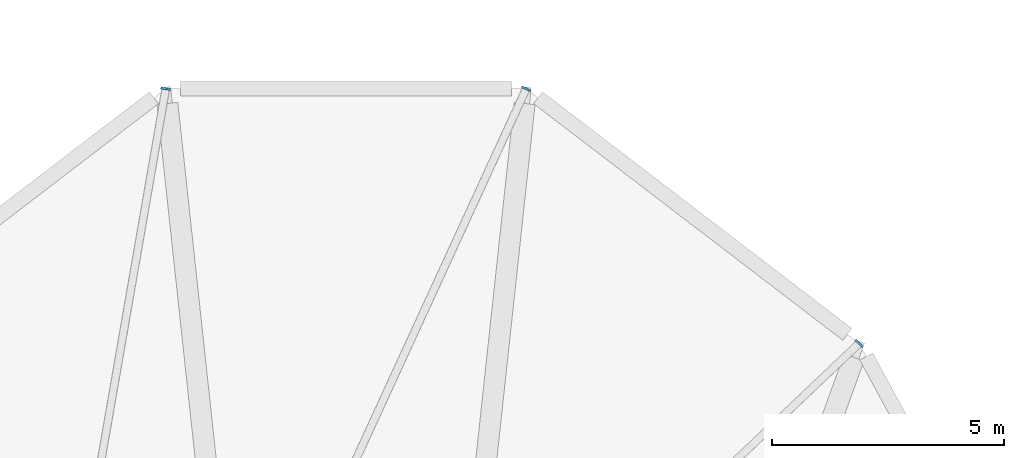
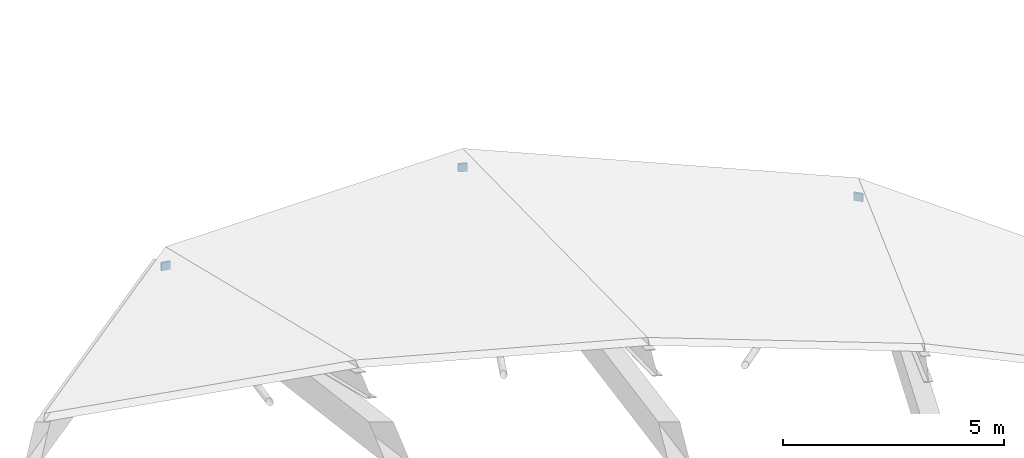
# One storey, part 29 of 39: 3 plates.
"""IFC4 building model written with IfcOpenShell, lengths in metres."""

from ifc_helpers import new_model, si_unit, direction, frame, origin, origin_2d, place, context, subcontext, project, spatial, rectangle, extrude, material, layer, layer_set, type_object, element, save


model = new_model("IFC4")

# Units and contexts
model_context = context("Model", 3, precision=1e-05, world=origin(), true_north=direction((0.0, 1.0)))
body_context = subcontext(model_context, "Body", "Model", "MODEL_VIEW")
ifc_project = project(units=[si_unit("LENGTHUNIT", "METRE"), si_unit("AREAUNIT", "SQUARE_METRE"), si_unit("VOLUMEUNIT", "CUBIC_METRE"), si_unit("PLANEANGLEUNIT", "RADIAN"), si_unit("MASSUNIT", "GRAM", prefix="KILO")], contexts=[model_context])

# Site, building, storey
site_placement = place(None, origin())
site = spatial("IfcSite", under=ifc_project, at=site_placement, CompositionType="ELEMENT")
building_placement = place(site_placement, origin())
building = spatial("IfcBuilding", under=site, at=building_placement, Name="Corvandel Quay Wholesale Market", CompositionType="ELEMENT")
storey_placement = place(building_placement, frame((0.0, 0.0, 15.0)))
storey = spatial("IfcBuildingStorey", under=building, at=storey_placement, Name="L03", CompositionType="ELEMENT", Elevation=15.0)

# Plates
ifc_material = material(Name="Steel A572 Grade 50", Category="steel")
ifc_layer = layer(ifc_material, 0.044921875)
ifc_layer_set = layer_set([ifc_layer], Name="Steel A572 Grade 50")
plate_type = type_object("IfcPlateType", Name="Steel Brace End Cap Plate PLT02 45mm", PredefinedType="SHEET", material=ifc_layer_set)
for number, where, z_axis, x_axis, name in (
    (1, (205.544677734375, 90.517578125, -0.669921875), (0.0, 0.0, 1.0), (-0.688354575694, 0.725374371012, 0.0), "HSS Cap Plate PLT-0044"),
    (2, (198.378173828125, 95.998291015625, -0.669921875), (0.0, 0.0, 1.0), (-0.908726847669, 0.417391322773, 0.0), "HSS Cap Plate PLT-0049"),
    (3, (190.62060546875, 95.998046875, -0.669921875), (0.0, 0.0, 1.0), (-0.985229115235, 0.171241322388, 0.0), "HSS Cap Plate PLT-0054"),
):
    element("IfcPlate", number, at=place(storey_placement, frame(where, z_axis=z_axis, x_axis=x_axis)), inside=storey, type_object=plate_type, Name=name, PredefinedType="SHEET", context=body_context, shape_type="SweptSolid", body=[
        extrude(rectangle(XDim=0.219970703125, YDim=0.044921875, at=origin_2d()), origin(), (0.0, 0.0, 1.0), 0.219970703125),
    ])

save(model, "model.ifc")
